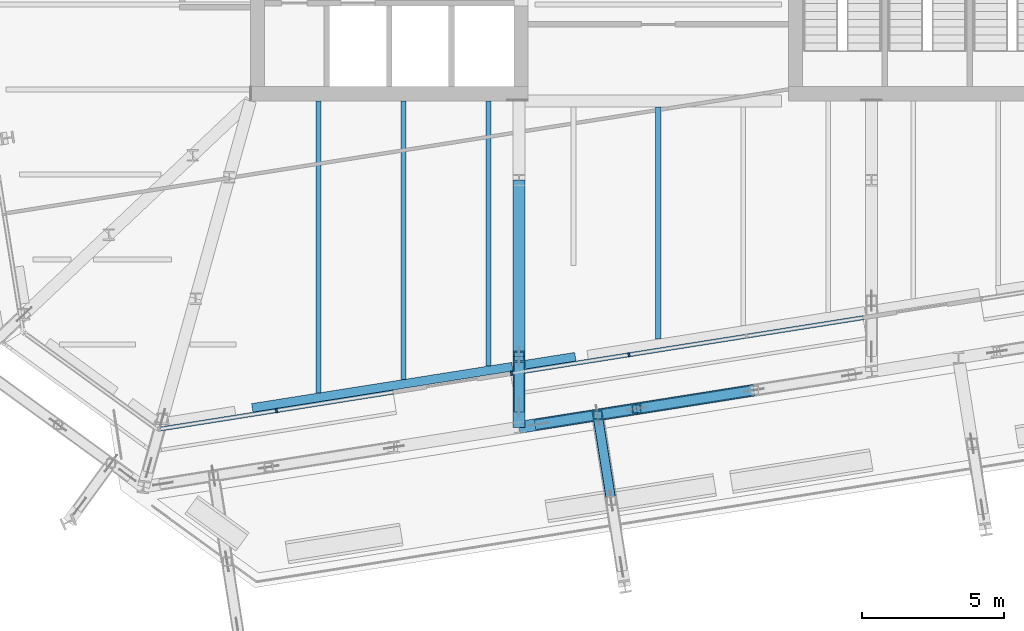
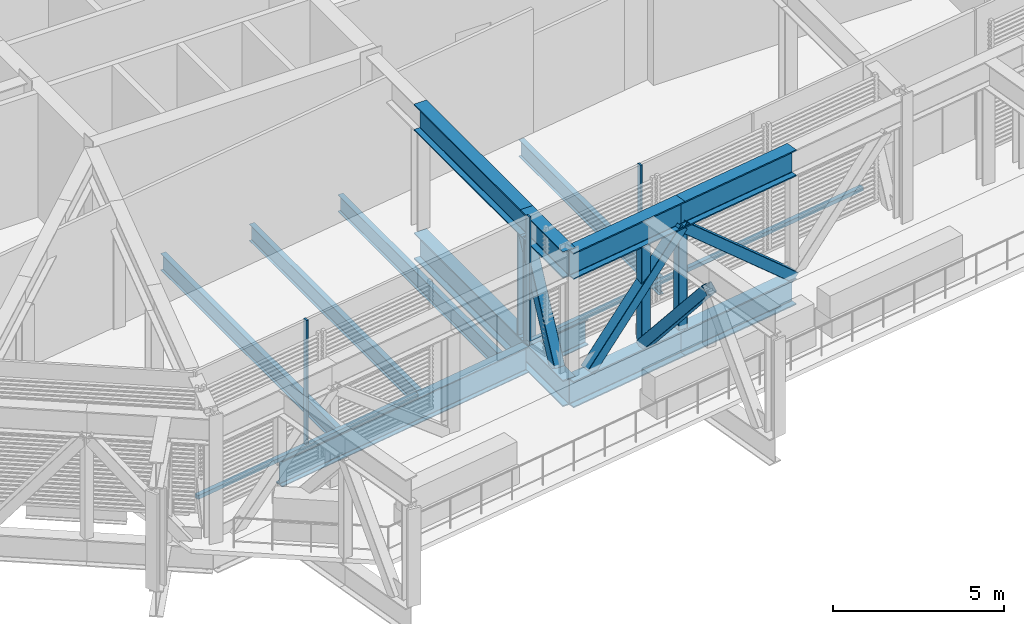
# One storey, part 4 of 35: 14 beams, 12 members, 1 element without a shape of its own.
"""IFC4 building model written with IfcOpenShell, lengths in metres."""

import ifcopenshell
import ifcopenshell.guid

model = None  # the IFC model being written
_history = None  # IfcOwnerHistory: only IFC2X3 demands one
_inside = {}  # id of a spatial element -> (the spatial element, [elements in it])
_under = {}  # id of a project, library or spatial element -> (it, [spatial elements below it])
_declared = {}  # id of a project -> (the project, [libraries it declares])
_typed = {}  # id of a type object -> (the type object, [elements of that type])
_made_of = {}  # id of a material, layer set ... -> (it, [elements and type objects made of it])


def new_model(schema):
    """Start an empty IFC model of exactly this schema.

    Asked for "IFC4X3", IfcOpenShell would pick the latest addendum, in which some entities
    have other attributes; the version numbers below select the first issue.
    IFC2X3 requires an IfcOwnerHistory on every rooted entity: one is made here for all.
    """
    global model, _history
    if schema == "IFC4X3":
        model = ifcopenshell.file(schema_version=(4, 3, 0, 0))
    else:
        model = ifcopenshell.file(schema=schema)
    _inside.clear()
    _under.clear()
    _declared.clear()
    _typed.clear()
    _made_of.clear()
    _history = None
    if model.schema == "IFC2X3":
        org = make("IfcOrganization", Name="unknown")
        user = make(
            "IfcPersonAndOrganization",
            ThePerson=make("IfcPerson", FamilyName="unknown"),
            TheOrganization=org,
        )
        app = make(
            "IfcApplication",
            ApplicationDeveloper=org,
            Version="unknown",
            ApplicationFullName="unknown",
            ApplicationIdentifier="unknown",
        )
        _history = make(
            "IfcOwnerHistory",
            OwningUser=user,
            OwningApplication=app,
            ChangeAction="ADDED",
            CreationDate=0,
        )
    return model


def make(cls, **values):
    """One entity of the class cls with the attributes given. An attribute that is None is left unset."""
    return model.create_entity(
        cls, **{name: value for name, value in values.items() if value is not None}
    )


def rooted(cls, **values):
    """An entity with a GlobalId (a new one), such as an element, a storey or a relation."""
    return make(cls, GlobalId=ifcopenshell.guid.new(), OwnerHistory=_history, **values)


def si_unit(unit_type, name, prefix=None):
    """IfcSIUnit, for example si_unit("LENGTHUNIT", "METRE", prefix="MILLI")."""
    return make("IfcSIUnit", UnitType=unit_type, Prefix=prefix, Name=name)


def assignment(units):
    """IfcUnitAssignment: the units of a project."""
    return None if units is None else make("IfcUnitAssignment", Units=units)


def point(xyz):
    """IfcCartesianPoint."""
    return None if xyz is None else make("IfcCartesianPoint", Coordinates=xyz)


def direction(xyz):
    """IfcDirection."""
    return None if xyz is None else make("IfcDirection", DirectionRatios=xyz)


def frame(location, z_axis=None, x_axis=None):
    """IfcAxis2Placement3D, a coordinate frame: its origin and axes. An axis left out is left unset."""
    return make(
        "IfcAxis2Placement3D",
        Location=point(location),
        Axis=direction(z_axis),
        RefDirection=direction(x_axis),
    )


def frame_2d(location, x_axis=None):
    """IfcAxis2Placement2D, a coordinate frame in the plane: its origin and x axis."""
    return make(
        "IfcAxis2Placement2D", Location=point(location), RefDirection=direction(x_axis)
    )


def origin():
    """The frame at (0, 0, 0) with its axes left unset."""
    return frame((0.0, 0.0, 0.0))


def origin_2d():
    """The frame at (0, 0) in the plane with its x axis left unset."""
    return frame_2d((0.0, 0.0))


def place(relative_to, where):
    """IfcLocalPlacement: puts the frame where relative to a parent placement (None: the world)."""
    return make(
        "IfcLocalPlacement", PlacementRelTo=relative_to, RelativePlacement=where
    )


def context(
    kind, dimensions, precision=None, world=None, true_north=None, identifier=None
):
    """IfcGeometricRepresentationContext, for example the 3D "Model" context."""
    return make(
        "IfcGeometricRepresentationContext",
        ContextIdentifier=identifier,
        ContextType=kind,
        CoordinateSpaceDimension=dimensions,
        Precision=precision,
        WorldCoordinateSystem=world,
        TrueNorth=true_north,
    )


def subcontext(parent, identifier, kind, view, scale=None):
    """IfcGeometricRepresentationSubContext, for example "Body" below "Model"."""
    return make(
        "IfcGeometricRepresentationSubContext",
        ContextIdentifier=identifier,
        ContextType=kind,
        ParentContext=parent,
        TargetScale=scale,
        TargetView=view,
    )


def project(units=None, contexts=None):
    """IfcProject with its units and contexts."""
    return rooted(
        "IfcProject",
        Name="project",
        RepresentationContexts=contexts,
        UnitsInContext=assignment(units),
    )


def spatial(cls, under=None, at=None, **own):
    """A site, building, storey or space (cls), placed at a placement, below another one or the project."""
    s = rooted(cls, ObjectPlacement=at, **own)
    if under is not None:
        _under.setdefault(under.id(), (under, []))[1].append(s)
    return s


def profile(cls, at=None, kind="AREA", **sizes):
    """A parametric profile (cls). Its sizes go by their IFC names, for example OverallWidth=200.0."""
    return make(cls, ProfileType=kind, Position=at, **sizes)


def rectangle(**sizes):
    """IfcRectangleProfileDef."""
    return profile("IfcRectangleProfileDef", **sizes)


def hollow_rectangle(**sizes):
    """IfcRectangleHollowProfileDef."""
    return profile("IfcRectangleHollowProfileDef", **sizes)


def i_section(**sizes):
    """IfcIShapeProfileDef."""
    return profile("IfcIShapeProfileDef", **sizes)


def extrude(swept, where, along, depth):
    """IfcExtrudedAreaSolid: the profile swept, set in the frame where, extruded along a direction by depth."""
    return make(
        "IfcExtrudedAreaSolid",
        SweptArea=swept,
        Position=where,
        ExtrudedDirection=direction(along),
        Depth=depth,
    )


def shape(context_of_items, identifier, shape_type, items):
    """IfcShapeRepresentation: the items that make up one representation, for example the "Body"."""
    return make(
        "IfcShapeRepresentation",
        ContextOfItems=context_of_items,
        RepresentationIdentifier=identifier,
        RepresentationType=shape_type,
        Items=items,
    )


def material(Name=None, Category=None):
    """IfcMaterial."""
    return make("IfcMaterial", Name=Name, Category=Category)


def layer(
    of_material, thickness, ventilated=None, Name=None, Category=None, Priority=None
):
    """IfcMaterialLayer: one layer of a wall or slab, of a material (None: an air gap)."""
    return make(
        "IfcMaterialLayer",
        Material=of_material,
        LayerThickness=thickness,
        IsVentilated=ventilated,
        Name=Name,
        Category=Category,
        Priority=Priority,
    )


def layer_set(layers, Name=None):
    """IfcMaterialLayerSet."""
    return make("IfcMaterialLayerSet", MaterialLayers=layers, LayerSetName=Name)


def material_profile(
    of_material, cross_section, Name=None, Category=None, Priority=None
):
    """IfcMaterialProfile: a cross section and its material."""
    return make(
        "IfcMaterialProfile",
        Name=Name,
        Material=of_material,
        Profile=cross_section,
        Priority=Priority,
        Category=Category,
    )


def profile_set(profiles, Name=None, composite=None):
    """IfcMaterialProfileSet."""
    return make(
        "IfcMaterialProfileSet",
        Name=Name,
        MaterialProfiles=profiles,
        CompositeProfile=composite,
    )


def made_of(thing, what):
    """Note that an element or type object is made of a material, layer set ...; save() writes the relation."""
    if what is not None:
        _made_of.setdefault(what.id(), (what, []))[1].append(thing)
    return thing


def type_object(cls, material=None, **own):
    """A type object (cls), such as IfcWallType, which elements share."""
    return made_of(rooted(cls, **own), material)


def element(
    cls,
    number,
    at=None,
    inside=None,
    cuts=None,
    type_object=None,
    material=None,
    context=None,
    identifier="Body",
    shape_type=None,
    held_by="IfcProductDefinitionShape",
    body=None,
    shapes=None,
    **own,
):
    """One element of the class cls, such as IfcWall. Its Tag is "e" and its number.

    at: its placement. inside: the storey or other place that contains it. cuts: it is an
    opening in that element (IfcRelVoidsElement). A single representation is given by context,
    identifier, shape_type and body (its items); several are given by shapes. held_by: the class
    of the entity that holds the representations. save() writes the other relations.
    """
    e = rooted(cls, Tag="e%d" % number, ObjectPlacement=at, **own)
    if body is not None:
        shapes = [shape(context, identifier, shape_type, body)]
    if shapes is not None:
        e.Representation = make(held_by, Representations=shapes)
    if inside is not None:
        _inside.setdefault(inside.id(), (inside, []))[1].append(e)
    if cuts is not None:
        rooted(
            "IfcRelVoidsElement", RelatingBuildingElement=cuts, RelatedOpeningElement=e
        )
    if type_object is not None:
        _typed.setdefault(type_object.id(), (type_object, []))[1].append(e)
    return made_of(e, material)


def aggregate(whole, parts):
    """IfcRelAggregates: a whole, such as a stair, and the parts it consists of."""
    return rooted("IfcRelAggregates", RelatingObject=whole, RelatedObjects=parts)


def save(model, path):
    """Write the relations noted so far, then the file.

    IfcRelAggregates (storeys below a building ...), IfcRelContainedInSpatialStructure (elements
    in a storey), IfcRelDefinesByType, IfcRelAssociatesMaterial and IfcRelDeclares: one each for
    every whole, place, type object, material and project.
    """
    for whole, parts in _under.values():
        aggregate(whole, parts)
    for where, things in _inside.values():
        rooted(
            "IfcRelContainedInSpatialStructure",
            RelatedElements=things,
            RelatingStructure=where,
        )
    for kind, things in _typed.values():
        rooted("IfcRelDefinesByType", RelatedObjects=things, RelatingType=kind)
    for what, things in _made_of.values():
        rooted("IfcRelAssociatesMaterial", RelatedObjects=things, RelatingMaterial=what)
    for by, libraries in _declared.values():
        rooted("IfcRelDeclares", RelatingContext=by, RelatedDefinitions=libraries)
    model.write(path)


model = new_model("IFC4")

# Units and contexts
model_context = context("Model", 3, precision=1e-05, world=origin(), true_north=direction((0.0, 1.0)))
body_context = subcontext(model_context, "Body", "Model", "MODEL_VIEW")
ifc_project = project(units=[si_unit("LENGTHUNIT", "METRE"), si_unit("AREAUNIT", "SQUARE_METRE"), si_unit("VOLUMEUNIT", "CUBIC_METRE"), si_unit("PLANEANGLEUNIT", "RADIAN"), si_unit("MASSUNIT", "GRAM", prefix="KILO")], contexts=[model_context])

# Site, building, storey
site_placement = place(None, origin())
site = spatial("IfcSite", under=ifc_project, at=site_placement, CompositionType="ELEMENT")
building_placement = place(site_placement, origin())
building = spatial("IfcBuilding", under=site, at=building_placement, Name="Millrace Tower", CompositionType="ELEMENT")
storey_placement = place(building_placement, frame((0.0, 0.0, 200.10009765625)))
storey = spatial("IfcBuildingStorey", under=building, at=storey_placement, Name="L45", CompositionType="ELEMENT", Elevation=200.10009765625)

# Curtain wall, members
ifc_material_1 = material(Name="Aluminium and glass", Category="aluminium")
ifc_layer = layer(ifc_material_1, 0.14990234375)
ifc_layer_set = layer_set([ifc_layer], Name="Aluminium and glass")
curtain_wall_type = type_object("IfcCurtainWallType", Name="CW-5 truss and plant storey louvred infill", PredefinedType="NOTDEFINED", material=ifc_layer_set)
curtain_wall_placement = place(storey_placement, origin())
curtain_wall = element("IfcCurtainWall", 1, at=curtain_wall_placement, inside=storey, type_object=curtain_wall_type, Name="Curtain wall D-F02 L45", PredefinedType="NOTDEFINED")
ifc_material_2 = material(Name="Aluminium", Category="aluminium")
ifc_material_profile_1 = material_profile(ifc_material_2, rectangle(XDim=0.06494140625, YDim=0.14990234375, at=origin_2d()))
ifc_profile_set_1 = profile_set([ifc_material_profile_1], Name="Aluminium")
member_type_1 = type_object("IfcMemberType", Name="CW-5 truss and plant storey louvred infill mullion", PredefinedType="MULLION", material=ifc_profile_set_1)
member_1_placement = place(storey_placement, frame((-13.477294921875, -20.33544921875, 0.139892578125), z_axis=(0.0, 0.0, 1.0), x_axis=(0.987688339511, 0.156434471884, 0.0)))
member_1 = element("IfcMember", 2, at=member_1_placement, type_object=member_type_1, Name="CW5 mullion D-F02.2", PredefinedType="MULLION", context=body_context, shape_type="SweptSolid", body=[
    extrude(rectangle(XDim=0.06494140625, YDim=0.14990234375, at=origin_2d()), origin(), (0.0, 0.0, 1.0), 4.4599609375),
])
member_2_placement = place(storey_placement, frame((-5.1806640625, -19.021240234375, 0.139892578125), z_axis=(0.0, 0.0, 1.0), x_axis=(0.987688339511, 0.156434471884, 0.0)))
member_2 = element("IfcMember", 3, at=member_2_placement, type_object=member_type_1, Name="CW5 mullion D-F02.4", PredefinedType="MULLION", context=body_context, shape_type="SweptSolid", body=[
    extrude(rectangle(XDim=0.06494140625, YDim=0.14990234375, at=origin_2d()), origin(), (0.0, 0.0, 1.0), 4.4599609375),
])
member_3_placement = place(storey_placement, frame((-1.0322265625, -18.3642578125, 0.139892578125), z_axis=(0.0, 0.0, 1.0), x_axis=(0.987688339511, 0.156434471884, 0.0)))
member_3 = element("IfcMember", 4, at=member_3_placement, type_object=member_type_1, Name="CW5 mullion D-F02.5", PredefinedType="MULLION", context=body_context, shape_type="SweptSolid", body=[
    extrude(rectangle(XDim=0.06494140625, YDim=0.14990234375, at=origin_2d()), origin(), (0.0, 0.0, 1.0), 4.4599609375),
])
ifc_material_3 = material(Name="Aluminium", Category="aluminium")
ifc_material_profile_2 = material_profile(ifc_material_3, rectangle(XDim=0.14990234375, YDim=0.139892578125, at=origin_2d()))
ifc_profile_set_2 = profile_set([ifc_material_profile_2], Name="Aluminium")
member_type_2 = type_object("IfcMemberType", Name="CW-5 truss and plant storey louvred infill transom", PredefinedType="USERDEFINED", material=ifc_profile_set_2)
member_4_placement = place(storey_placement, frame((-17.558837890625, -20.98193359375, 0.06982421875), z_axis=(0.987684853285, 0.156456481465, 0.0), x_axis=(-0.156456481465, 0.987684853285, 0.0)))
member_4 = element("IfcMember", 5, at=member_4_placement, type_object=member_type_2, Name="CW5 transom D-F02.1", ObjectType="TRANSOM", PredefinedType="USERDEFINED", context=body_context, shape_type="SweptSolid", body=[
    extrude(rectangle(XDim=0.14990234375, YDim=0.139892578125, at=origin_2d()), origin(), (0.0, 0.0, 1.0), 8.300048828125),
])
member_5_placement = place(storey_placement, frame((-5.212646484375, -19.0263671875, 0.06982421875), z_axis=(0.987689802912, 0.156425232058, 0.0), x_axis=(-0.156425232058, 0.987689802912, 0.0)))
member_5 = element("IfcMember", 6, at=member_5_placement, type_object=member_type_2, Name="CW5 transom D-F02.2", ObjectType="TRANSOM", PredefinedType="USERDEFINED", context=body_context, shape_type="SweptSolid", body=[
    extrude(rectangle(XDim=0.14990234375, YDim=0.139892578125, at=origin_2d()), origin(), (0.0, 0.0, 1.0), 12.599853515625),
])
aggregate(curtain_wall, [member_1, member_2, member_3, member_4, member_5])

# Beams
ifc_material_4 = material(Name="Steel ASTM A992 Grade 50", Category="steel")
ifc_material_profile_3 = material_profile(ifc_material_4, i_section(OverallWidth=0.177978515625, OverallDepth=0.599365234375, WebThickness=0.010009765625, FlangeThickness=0.012939453125, FilletRadius=0.012939453125, at=origin_2d()))
ifc_profile_set_3 = profile_set([ifc_material_profile_3], Name="Steel ASTM A992 Grade 50")
beam_type_1 = type_object("IfcBeamType", Name="Floor beam W24x55", PredefinedType="JOIST", material=ifc_profile_set_3)
beam_1_placement = place(storey_placement, frame((-9.0, -19.2392578125, -0.459716796875), z_axis=(0.0, 1.0, 0.0), x_axis=(-1.0, 0.0, 0.0)))
element("IfcBeam", 7, at=beam_1_placement, inside=storey, type_object=beam_type_1, Name="BM-D-L45-S1-S039", PredefinedType="JOIST", context=body_context, shape_type="SweptSolid", body=[
    extrude(i_section(OverallWidth=0.177978515625, OverallDepth=0.599365234375, WebThickness=0.010009765625, FlangeThickness=0.012939453125, FilletRadius=0.012939453125, at=origin_2d()), origin(), (0.0, 0.0, 1.0), 9.83935546875),
])
beam_2_placement = place(storey_placement, frame((-6.0, -18.763916015625, -0.459716796875), z_axis=(0.0, 1.0, 0.0), x_axis=(-1.0, 0.0, 0.0)))
element("IfcBeam", 8, at=beam_2_placement, inside=storey, type_object=beam_type_1, Name="BM-D-L45-S1-S041", PredefinedType="JOIST", context=body_context, shape_type="SweptSolid", body=[
    extrude(i_section(OverallWidth=0.177978515625, OverallDepth=0.599365234375, WebThickness=0.010009765625, FlangeThickness=0.012939453125, FilletRadius=0.012939453125, at=origin_2d()), origin(), (0.0, 0.0, 1.0), 9.364013671875),
])
beam_3_placement = place(storey_placement, frame((0.0, -17.813720703125, -0.459716796875), z_axis=(0.0, 1.0, 0.0), x_axis=(-1.0, 0.0, 0.0)))
element("IfcBeam", 9, at=beam_3_placement, inside=storey, type_object=beam_type_1, Name="BM-D-L45-S1-S045", PredefinedType="JOIST", context=body_context, shape_type="SweptSolid", body=[
    extrude(i_section(OverallWidth=0.177978515625, OverallDepth=0.599365234375, WebThickness=0.010009765625, FlangeThickness=0.012939453125, FilletRadius=0.012939453125, at=origin_2d()), origin(), (0.0, 0.0, 1.0), 8.2041015625),
])
ifc_material_5 = material(Name="Steel ASTM A992 Grade 50", Category="steel")
ifc_material_profile_4 = material_profile(ifc_material_5, i_section(OverallWidth=0.1787109375, OverallDepth=0.60205078125, WebThickness=0.010986328125, FlangeThickness=0.014892578125, FilletRadius=0.0126953125, at=origin_2d()))
ifc_profile_set_4 = profile_set([ifc_material_profile_4], Name="Steel ASTM A992 Grade 50")
beam_type_2 = type_object("IfcBeamType", Name="Floor beam W24x62", PredefinedType="JOIST", material=ifc_profile_set_4)
beam_4_placement = place(storey_placement, frame((-12.0, -19.71435546875, -0.461181640625), z_axis=(0.0, 1.0, 0.0), x_axis=(-1.0, 0.0, 0.0)))
element("IfcBeam", 10, at=beam_4_placement, inside=storey, type_object=beam_type_2, Name="BM-D-L45-S1-S037", PredefinedType="JOIST", context=body_context, shape_type="SweptSolid", body=[
    extrude(i_section(OverallWidth=0.1787109375, OverallDepth=0.60205078125, WebThickness=0.010986328125, FlangeThickness=0.014892578125, FilletRadius=0.0126953125, at=origin_2d()), origin(), (0.0, 0.0, 1.0), 10.314453125),
])
ifc_material_6 = material(Name="Steel ASTM A992 Grade 50", Category="steel")
ifc_material_profile_5 = material_profile(ifc_material_6, i_section(OverallWidth=0.307373046875, OverallDepth=0.927001953125, WebThickness=0.01953125, FlangeThickness=0.031982421875, FilletRadius=0.01904296875, at=origin_2d()))
ifc_profile_set_5 = profile_set([ifc_material_profile_5], Name="Steel ASTM A992 Grade 50")
beam_type_3 = type_object("IfcBeamType", Name="Ring beam short span W36x194", PredefinedType="SPANDREL", material=ifc_profile_set_5)
beam_5_placement = place(storey_placement, frame((-5.149658203125, -18.784912109375, -0.62353515625), z_axis=(-0.987688127576, -0.156435809982, 0.0), x_axis=(0.156435809982, -0.987688127576, 0.0)))
element("IfcBeam", 11, at=beam_5_placement, inside=storey, type_object=beam_type_3, Name="RNG-D-L45-S1-15-a", PredefinedType="SPANDREL", context=body_context, shape_type="SweptSolid", body=[
    extrude(i_section(OverallWidth=0.307373046875, OverallDepth=0.927001953125, WebThickness=0.01953125, FlangeThickness=0.031982421875, FilletRadius=0.01904296875, at=origin_2d()), origin(), (0.0, 0.0, 1.0), 9.29833984375),
])
beam_6_placement = place(storey_placement, frame((-2.92578125, -18.4326171875, -0.62353515625), z_axis=(-0.987681259859, -0.156479164501, 0.0), x_axis=(0.156479164501, -0.987681259859, 0.0)))
element("IfcBeam", 12, at=beam_6_placement, inside=storey, type_object=beam_type_3, Name="RNG-D-L45-S1-14-b", PredefinedType="SPANDREL", context=body_context, shape_type="SweptSolid", body=[
    extrude(i_section(OverallWidth=0.307373046875, OverallDepth=0.927001953125, WebThickness=0.01953125, FlangeThickness=0.031982421875, FilletRadius=0.01904296875, at=origin_2d()), origin(), (0.0, 0.0, 1.0), 1.7958984375),
])

# Member
ifc_material_7 = material(Name="Steel ASTM A992 Grade 50", Category="steel")
ifc_material_profile_6 = material_profile(ifc_material_7, i_section(OverallWidth=0.40380859375, OverallDepth=0.406494140625, WebThickness=0.027099609375, FlangeThickness=0.043701171875, FilletRadius=0.01513671875, at=origin_2d()))
ifc_profile_set_6 = profile_set([ifc_material_profile_6], Name="Steel ASTM A992 Grade 50")
member_type_3 = type_object("IfcMemberType", Name="Transfer truss Vierendeel moment post W14x233", PredefinedType="POST", material=ifc_profile_set_6)
member_6_placement = place(storey_placement, frame((-4.91162109375, -18.427734375, -0.16015625), z_axis=(0.0, 0.0, 1.0), x_axis=(1.0, 0.0, 0.0)))
element("IfcMember", 13, at=member_6_placement, inside=storey, type_object=member_type_3, Name="TRS-L45-C03-V01", PredefinedType="POST", context=body_context, shape_type="SweptSolid", body=[
    extrude(i_section(OverallWidth=0.40380859375, OverallDepth=0.406494140625, WebThickness=0.027099609375, FlangeThickness=0.043701171875, FilletRadius=0.01513671875, at=origin_2d()), origin(), (0.0, 0.0, 1.0), 3.652587890625),
])

# Beams
ifc_material_8 = material(Name="Steel ASTM A992 Grade 50", Category="steel")
ifc_material_profile_7 = material_profile(ifc_material_8, i_section(OverallWidth=0.424072265625, OverallDepth=0.947509765625, WebThickness=0.02392578125, FlangeThickness=0.042724609375, FilletRadius=0.024169921875, at=origin_2d()))
ifc_profile_set_7 = profile_set([ifc_material_profile_7], Name="Steel ASTM A992 Grade 50")
beam_type_4 = type_object("IfcBeamType", Name="Transfer truss chord W36x302", PredefinedType="BEAM", material=ifc_profile_set_7)
for number, where, z_axis, x_axis, name in (
    (14, (-4.91162109375, -20.927734375, -0.6337890625), (0.987690751091, 0.156419245009, 0.0), (-0.156419245009, 0.987690751091, 0.0), "TRS-L45-R03-B01"),
    (15, (-4.91162109375, -20.927734375, 3.96630859375), (0.987690751091, 0.156419245009, 0.0), (-0.156419245009, 0.987690751091, 0.0), "TRS-L45-R03-T01"),
):
    element("IfcBeam", number, at=place(storey_placement, frame(where, z_axis=z_axis, x_axis=x_axis)), inside=storey, type_object=beam_type_4, Name=name, PredefinedType="BEAM", context=body_context, shape_type="SweptSolid", body=[
        extrude(i_section(OverallWidth=0.424072265625, OverallDepth=0.947509765625, WebThickness=0.02392578125, FlangeThickness=0.042724609375, FilletRadius=0.024169921875, at=origin_2d()), origin(), (0.0, 0.0, 1.0), 4.2001953125),
    ])
for number, where, z_axis, x_axis, name in (
    (16, (-0.76318359375, -20.270751953125, -0.6337890625), (0.987689328781, 0.156428225752, 0.0), (-0.156428225752, 0.987689328781, 0.0), "TRS-L45-R03-B02"),
    (17, (-0.76318359375, -20.270751953125, 3.96630859375), (0.987689328781, 0.156428225752, 0.0), (-0.156428225752, 0.987689328781, 0.0), "TRS-L45-R03-T02"),
):
    element("IfcBeam", number, at=place(storey_placement, frame(where, z_axis=z_axis, x_axis=x_axis)), inside=storey, type_object=beam_type_4, Name=name, PredefinedType="BEAM", context=body_context, shape_type="SweptSolid", body=[
        extrude(i_section(OverallWidth=0.424072265625, OverallDepth=0.947509765625, WebThickness=0.02392578125, FlangeThickness=0.042724609375, FilletRadius=0.024169921875, at=origin_2d()), origin(), (0.0, 0.0, 1.0), 4.199951171875),
    ])
for number, where, z_axis, x_axis, name in (
    (18, (-4.91162109375, -20.927734375, -0.6337890625), (0.0, 1.0, 0.0), (-1.0, 0.0, 0.0), "TRS-L45-C03-B01"),
    (19, (-4.91162109375, -20.927734375, 3.96630859375), (0.0, 1.0, 0.0), (-1.0, 0.0, 0.0), "TRS-L45-C03-T01"),
):
    element("IfcBeam", number, at=place(storey_placement, frame(where, z_axis=z_axis, x_axis=x_axis)), inside=storey, type_object=beam_type_4, Name=name, PredefinedType="BEAM", context=body_context, shape_type="SweptSolid", body=[
        extrude(i_section(OverallWidth=0.424072265625, OverallDepth=0.947509765625, WebThickness=0.02392578125, FlangeThickness=0.042724609375, FilletRadius=0.024169921875, at=origin_2d()), origin(), (0.0, 0.0, 1.0), 2.5),
    ])
for number, where, z_axis, x_axis, name in (
    (20, (-4.91162109375, -18.427734375, -0.6337890625), (0.0, 1.0, 0.0), (-1.0, 0.0, 0.0), "TRS-L45-C03-B02"),
    (21, (-4.91162109375, -18.427734375, 3.96630859375), (0.0, 1.0, 0.0), (-1.0, 0.0, 0.0), "TRS-L45-C03-T02"),
):
    element("IfcBeam", number, at=place(storey_placement, frame(where, z_axis=z_axis, x_axis=x_axis)), inside=storey, type_object=beam_type_4, Name=name, PredefinedType="BEAM", context=body_context, shape_type="SweptSolid", body=[
        extrude(i_section(OverallWidth=0.424072265625, OverallDepth=0.947509765625, WebThickness=0.02392578125, FlangeThickness=0.042724609375, FilletRadius=0.024169921875, at=origin_2d()), origin(), (0.0, 0.0, 1.0), 6.227783203125),
    ])

# Members
ifc_material_9 = material(Name="Steel ASTM A500 Grade C", Category="steel")
ifc_material_profile_8 = material_profile(ifc_material_9, hollow_rectangle(XDim=0.355712890625, YDim=0.355712890625, WallThickness=0.015869140625, InnerFilletRadius=0.008056640625, OuterFilletRadius=0.02392578125, at=origin_2d()))
ifc_profile_set_8 = profile_set([ifc_material_profile_8], Name="Steel ASTM A500 Grade C")
member_type_4 = type_object("IfcMemberType", Name="Transfer truss diagonal HSS14x14x5/8", PredefinedType="BRACE", material=ifc_profile_set_8)
member_7_placement = place(storey_placement, frame((-4.22021484375, -20.818359375, -0.16015625), z_axis=(0.683358074397, 0.108246621531, 0.722014134961), x_axis=(-0.156453267504, 0.987685362394, 0.0)))
element("IfcMember", 22, at=member_7_placement, inside=storey, type_object=member_type_4, Name="TRS-L45-R03-D01", PredefinedType="BRACE", context=body_context, shape_type="SweptSolid", body=[
    extrude(hollow_rectangle(XDim=0.355712890625, YDim=0.355712890625, WallThickness=0.015869140625, InnerFilletRadius=0.008056640625, OuterFilletRadius=0.02392578125, at=origin_2d()), origin(), (0.0, 0.0, 1.0), 5.058837890625),
])
member_8_placement = place(storey_placement, frame((3.385009765625, -19.61376953125, -0.16015625), z_axis=(-0.745271569014, -0.118034594327, 0.656230236244), x_axis=(0.156428225752, -0.987689328781, 0.0)))
element("IfcMember", 23, at=member_8_placement, inside=storey, type_object=member_type_4, Name="TRS-L45-R03-D02", PredefinedType="BRACE", context=body_context, shape_type="SweptSolid", body=[
    extrude(hollow_rectangle(XDim=0.355712890625, YDim=0.355712890625, WallThickness=0.015869140625, InnerFilletRadius=0.008056640625, OuterFilletRadius=0.02392578125, at=origin_2d()), origin(), (0.0, 0.0, 1.0), 5.56591796875),
])
member_9_placement = place(storey_placement, frame((-4.91162109375, -20.227783203125, -0.16015625), z_axis=(0.0, 0.442050013477, 0.896990404399), x_axis=(-1.0, 0.0, 0.0)))
element("IfcMember", 24, at=member_9_placement, inside=storey, type_object=member_type_4, Name="TRS-L45-C03-D01", PredefinedType="BRACE", context=body_context, shape_type="SweptSolid", body=[
    extrude(hollow_rectangle(XDim=0.355712890625, YDim=0.355712890625, WallThickness=0.015869140625, InnerFilletRadius=0.008056640625, OuterFilletRadius=0.02392578125, at=origin_2d()), origin(), (0.0, 0.0, 1.0), 4.072021484375),
])
member_10_placement = place(storey_placement, frame((-2.140625, -20.48876953125, -0.16015625), z_axis=(0.100546480659, -0.635019626318, 0.765924591208), x_axis=(0.987695728695, 0.156387811283, 0.0)))
element("IfcMember", 25, at=member_10_placement, inside=storey, type_object=member_type_4, Name="TRS-L45-B-C-X03-D02", PredefinedType="BRACE", context=body_context, shape_type="SweptSolid", body=[
    extrude(hollow_rectangle(XDim=0.355712890625, YDim=0.355712890625, WallThickness=0.015869140625, InnerFilletRadius=0.008056640625, OuterFilletRadius=0.02392578125, at=origin_2d()), origin(), (0.0, 0.0, 1.0), 4.768798828125),
])
ifc_material_10 = material(Name="Steel ASTM A500 Grade C", Category="steel")
ifc_material_profile_9 = material_profile(ifc_material_10, hollow_rectangle(XDim=0.3046875, YDim=0.3046875, WallThickness=0.0126953125, InnerFilletRadius=0.00634765625, OuterFilletRadius=0.01904296875, at=origin_2d()))
ifc_profile_set_9 = profile_set([ifc_material_profile_9], Name="Steel ASTM A500 Grade C")
member_type_5 = type_object("IfcMemberType", Name="Transfer truss post HSS12x12x1/2", PredefinedType="POST", material=ifc_profile_set_9)
for number, where, z_axis, x_axis, name in (
    (26, (-0.76318359375, -20.270751953125, -0.16015625), (0.0, 0.0, 1.0), (1.0, 0.0, 0.0), "TRS-L45-R03-V01"),
    (27, (-2.140625, -20.48876953125, -0.16015625), (0.0, 0.0, 1.0), (1.0, 0.0, 0.0), "TRS-L45-B-C-X03-V02"),
):
    element("IfcMember", number, at=place(storey_placement, frame(where, z_axis=z_axis, x_axis=x_axis)), inside=storey, type_object=member_type_5, Name=name, PredefinedType="POST", context=body_context, shape_type="SweptSolid", body=[
        extrude(hollow_rectangle(XDim=0.3046875, YDim=0.3046875, WallThickness=0.0126953125, InnerFilletRadius=0.00634765625, OuterFilletRadius=0.01904296875, at=origin_2d()), origin(), (0.0, 0.0, 1.0), 3.652587890625),
    ])

save(model, "model.ifc")
